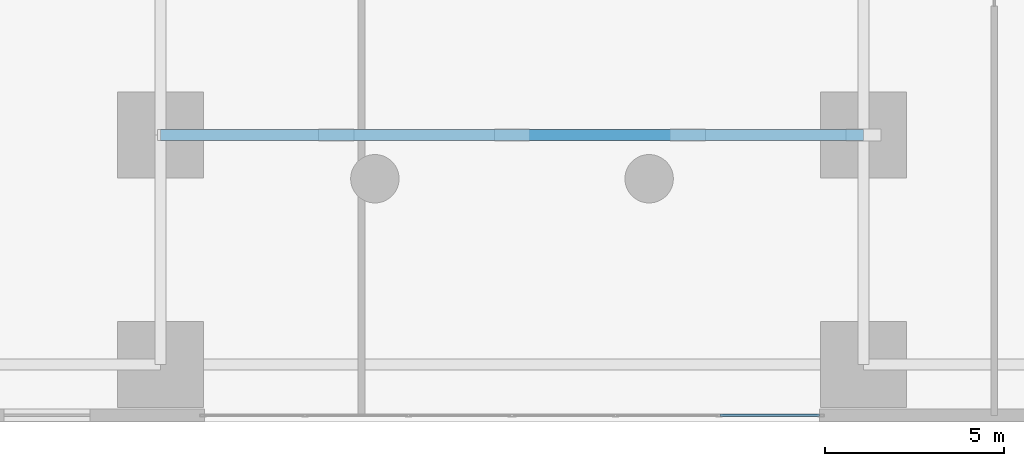
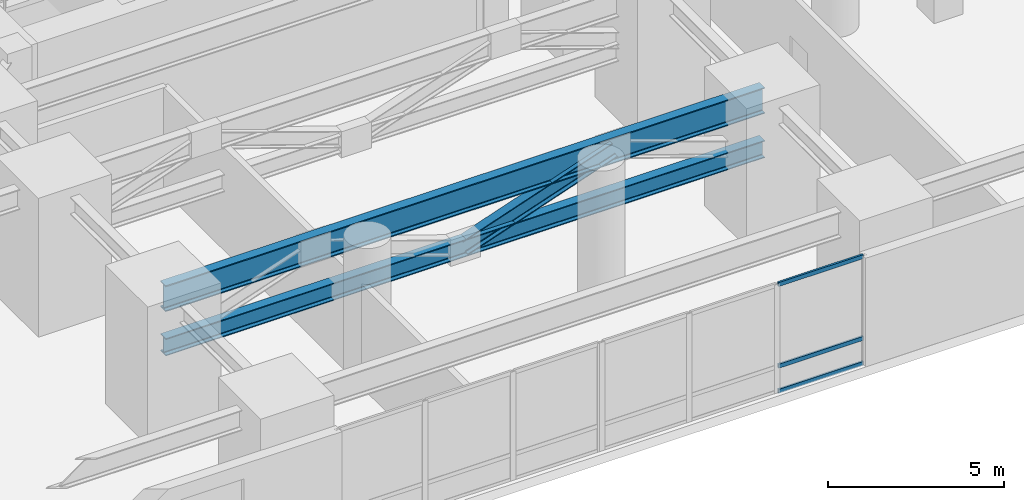
# One storey, part 7 of 17: 5 members, 1 beam, 1 element without a shape of its own.
"""IFC4 building model written with IfcOpenShell, lengths in metres."""

from ifc_helpers import new_model, si_unit, direction, frame, origin, origin_2d, place, context, subcontext, project, spatial, hollow_rectangle, i_section, extrude, material, layer, layer_set, material_profile, profile_set, type_object, element, aggregate, save


model = new_model("IFC4")

# Units and contexts
model_context = context("Model", 3, precision=1e-05, world=origin(), true_north=direction((0.0, 1.0)))
body_context = subcontext(model_context, "Body", "Model", "MODEL_VIEW")
ifc_project = project(units=[si_unit("LENGTHUNIT", "METRE"), si_unit("AREAUNIT", "SQUARE_METRE"), si_unit("VOLUMEUNIT", "CUBIC_METRE"), si_unit("PLANEANGLEUNIT", "RADIAN"), si_unit("MASSUNIT", "GRAM", prefix="KILO"), si_unit("THERMODYNAMICTEMPERATUREUNIT", "KELVIN"), si_unit("POWERUNIT", "WATT")], contexts=[model_context])

# Site, building, storey
site_placement = place(None, origin())
site = spatial("IfcSite", under=ifc_project, at=site_placement, CompositionType="ELEMENT")
building_placement = place(site_placement, origin())
building = spatial("IfcBuilding", under=site, at=building_placement, Name="Ocrelia Relay Tower", CompositionType="ELEMENT")
storey_placement = place(building_placement, frame((0.0, 0.0, 20.39990234375)))
storey = spatial("IfcBuildingStorey", under=building, at=storey_placement, Name="L04", CompositionType="ELEMENT", Elevation=20.39990234375)

# Beam
ifc_material_1 = material(Name="Steel S355", Category="steel")
ifc_material_profile_1 = material_profile(ifc_material_1, i_section(OverallWidth=0.300048828125, OverallDepth=0.89990234375, WebThickness=0.0185546875, FlangeThickness=0.034912109375, FilletRadius=0.030029296875, at=origin_2d()), Name="HEB 900")
ifc_profile_set_1 = profile_set([ifc_material_profile_1], Name="Steel S355")
beam_type = type_object("IfcBeamType", Name="BM-HEB900", PredefinedType="BEAM", material=ifc_profile_set_1)
beam_placement = place(storey_placement, frame((24.199951171875, 8.0, 4.030029296875), z_axis=(1.0, 0.0, 0.0), x_axis=(0.0, 1.0, 0.0)))
element("IfcBeam", 1, at=beam_placement, inside=storey, type_object=beam_type, Name="L04 Portal Arch Span Transfer Girder G2", PredefinedType="BEAM", context=body_context, shape_type="SweptSolid", body=[
    extrude(i_section(OverallWidth=0.300048828125, OverallDepth=0.89990234375, WebThickness=0.0185546875, FlangeThickness=0.034912109375, FilletRadius=0.030029296875, at=origin_2d()), origin(), (0.0, 0.0, 1.0), 19.60009765625),
])

# Curtain wall, members
ifc_material_2 = material(Name="Aluminium and solar-control low-E glass", Category="aluminium")
ifc_layer = layer(ifc_material_2, 0.179931640625, Name="Aluminium and solar-control low-E glass")
ifc_layer_set = layer_set([ifc_layer], Name="Aluminium and solar-control low-E glass")
curtain_wall_type = type_object("IfcCurtainWallType", Name="CW-SYS-POD-GALL", PredefinedType="NOTDEFINED", material=ifc_layer_set)
curtain_wall_placement = place(storey_placement, origin())
curtain_wall = element("IfcCurtainWall", 2, at=curtain_wall_placement, inside=storey, type_object=curtain_wall_type, Name="L04 South Over-Arch Curtain Wall East", PredefinedType="NOTDEFINED")
ifc_material_3 = material(Name="Anodised bronze aluminium", Category="aluminium")
ifc_material_profile_2 = material_profile(ifc_material_3, hollow_rectangle(XDim=0.06494140625, YDim=0.139892578125, WallThickness=0.0048828125, at=origin_2d()), Name="CW-TRN-140x65")
ifc_profile_set_2 = profile_set([ifc_material_profile_2], Name="Anodised bronze aluminium")
member_type_1 = type_object("IfcMemberType", Name="CW-SYS-POD-GALL-TRN", PredefinedType="USERDEFINED", material=ifc_profile_set_2)
member_1_placement = place(storey_placement, frame((39.8017578125, 0.179931640625, 0.03271484375), z_axis=(1.0, 0.0, 0.0), x_axis=(0.0, 1.0, 0.0)))
member_1 = element("IfcMember", 3, at=member_1_placement, type_object=member_type_1, Name="CW-PG transom 3.1", ObjectType="TRANSOM", PredefinedType="USERDEFINED", context=body_context, shape_type="SweptSolid", body=[
    extrude(hollow_rectangle(XDim=0.06494140625, YDim=0.139892578125, WallThickness=0.0048828125, at=origin_2d()), origin(), (0.0, 0.0, 1.0), 2.7783203125),
])
member_2_placement = place(storey_placement, frame((39.8017578125, 0.179931640625, 0.900146484375), z_axis=(1.0, 0.0, 0.0), x_axis=(0.0, 1.0, 0.0)))
member_2 = element("IfcMember", 4, at=member_2_placement, type_object=member_type_1, Name="CW-PG transom 3.2", ObjectType="TRANSOM", PredefinedType="USERDEFINED", context=body_context, shape_type="SweptSolid", body=[
    extrude(hollow_rectangle(XDim=0.06494140625, YDim=0.139892578125, WallThickness=0.0048828125, at=origin_2d()), origin(), (0.0, 0.0, 1.0), 2.7783203125),
])
member_3_placement = place(storey_placement, frame((39.8017578125, 0.179931640625, 3.7275390625), z_axis=(1.0, 0.0, 0.0), x_axis=(0.0, 1.0, 0.0)))
member_3 = element("IfcMember", 5, at=member_3_placement, type_object=member_type_1, Name="CW-PG transom 3.3", ObjectType="TRANSOM", PredefinedType="USERDEFINED", context=body_context, shape_type="SweptSolid", body=[
    extrude(hollow_rectangle(XDim=0.06494140625, YDim=0.139892578125, WallThickness=0.0048828125, at=origin_2d()), origin(), (0.0, 0.0, 1.0), 2.7783203125),
])
aggregate(curtain_wall, [member_1, member_2, member_3])

# Members
ifc_material_profile_3 = material_profile(ifc_material_1, i_section(OverallWidth=0.300048828125, OverallDepth=0.550048828125, WebThickness=0.014892578125, FlangeThickness=0.029052734375, FilletRadius=0.027099609375, at=origin_2d()), Name="HEB 550")
ifc_profile_set_3 = profile_set([ifc_material_profile_3], Name="Steel S355")
member_type_2 = type_object("IfcMemberType", Name="MB-ARCH-DIAG", PredefinedType="BRACE", material=ifc_profile_set_3)
member_4_placement = place(storey_placement, frame((34.0, 8.0, 2.35009765625), z_axis=(0.945948011629, 0.0, 0.324318299353), x_axis=(0.0, 1.0, 0.0)))
element("IfcMember", 6, at=member_4_placement, inside=storey, type_object=member_type_2, Name="L04 Warren Transfer Truss Diagonal S-3", PredefinedType="BRACE", context=body_context, shape_type="SweptSolid", body=[
    extrude(i_section(OverallWidth=0.300048828125, OverallDepth=0.550048828125, WebThickness=0.014892578125, FlangeThickness=0.029052734375, FilletRadius=0.027099609375, at=origin_2d()), origin(), (0.0, 0.0, 1.0), 5.179931640625),
])
ifc_material_profile_4 = material_profile(ifc_material_1, i_section(OverallWidth=0.300048828125, OverallDepth=0.60009765625, WebThickness=0.015380859375, FlangeThickness=0.030029296875, FilletRadius=0.027099609375, at=origin_2d()), Name="HEB 600")
ifc_profile_set_4 = profile_set([ifc_material_profile_4], Name="Steel S355")
member_type_3 = type_object("IfcMemberType", Name="MB-TRUSS-CHORD", PredefinedType="CHORD", material=ifc_profile_set_4)
member_5_placement = place(storey_placement, frame((24.199951171875, 8.0, 2.35009765625), z_axis=(1.0, 0.0, 0.0), x_axis=(0.0, 1.0, 0.0)))
element("IfcMember", 7, at=member_5_placement, inside=storey, type_object=member_type_3, Name="L04 Warren Transfer Truss Chord S", PredefinedType="CHORD", context=body_context, shape_type="SweptSolid", body=[
    extrude(i_section(OverallWidth=0.300048828125, OverallDepth=0.60009765625, WebThickness=0.015380859375, FlangeThickness=0.030029296875, FilletRadius=0.027099609375, at=origin_2d()), origin(), (0.0, 0.0, 1.0), 19.60009765625),
])

save(model, "model.ifc")
